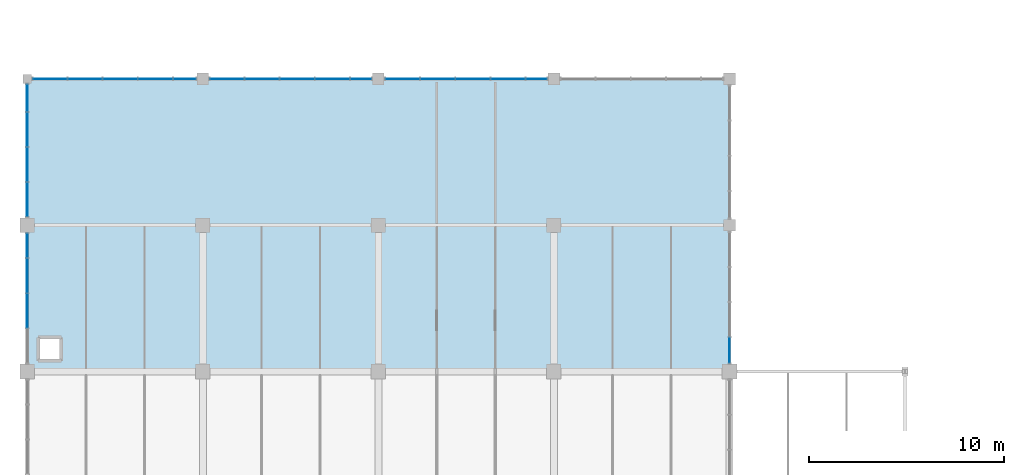
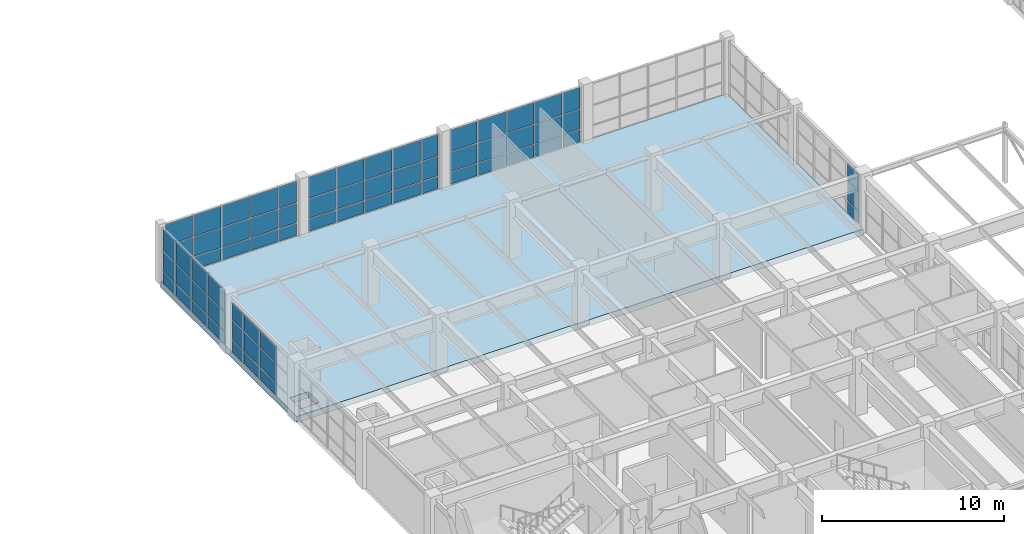
# One storey, part 45 of 76: 69 plates, 1 slab, 6 elements without a shape of their own.
"""IFC4 building model written with IfcOpenShell, lengths in metres."""

import ifcopenshell
import ifcopenshell.guid

model = None  # the IFC model being written
_history = None  # IfcOwnerHistory: only IFC2X3 demands one
_inside = {}  # id of a spatial element -> (the spatial element, [elements in it])
_under = {}  # id of a project, library or spatial element -> (it, [spatial elements below it])
_declared = {}  # id of a project -> (the project, [libraries it declares])
_typed = {}  # id of a type object -> (the type object, [elements of that type])
_made_of = {}  # id of a material, layer set ... -> (it, [elements and type objects made of it])


def new_model(schema):
    """Start an empty IFC model of exactly this schema.

    Asked for "IFC4X3", IfcOpenShell would pick the latest addendum, in which some entities
    have other attributes; the version numbers below select the first issue.
    IFC2X3 requires an IfcOwnerHistory on every rooted entity: one is made here for all.
    """
    global model, _history
    if schema == "IFC4X3":
        model = ifcopenshell.file(schema_version=(4, 3, 0, 0))
    else:
        model = ifcopenshell.file(schema=schema)
    _inside.clear()
    _under.clear()
    _declared.clear()
    _typed.clear()
    _made_of.clear()
    _history = None
    if model.schema == "IFC2X3":
        org = make("IfcOrganization", Name="unknown")
        user = make(
            "IfcPersonAndOrganization",
            ThePerson=make("IfcPerson", FamilyName="unknown"),
            TheOrganization=org,
        )
        app = make(
            "IfcApplication",
            ApplicationDeveloper=org,
            Version="unknown",
            ApplicationFullName="unknown",
            ApplicationIdentifier="unknown",
        )
        _history = make(
            "IfcOwnerHistory",
            OwningUser=user,
            OwningApplication=app,
            ChangeAction="ADDED",
            CreationDate=0,
        )
    return model


def make(cls, **values):
    """One entity of the class cls with the attributes given. An attribute that is None is left unset."""
    return model.create_entity(
        cls, **{name: value for name, value in values.items() if value is not None}
    )


def rooted(cls, **values):
    """An entity with a GlobalId (a new one), such as an element, a storey or a relation."""
    return make(cls, GlobalId=ifcopenshell.guid.new(), OwnerHistory=_history, **values)


def si_unit(unit_type, name, prefix=None):
    """IfcSIUnit, for example si_unit("LENGTHUNIT", "METRE", prefix="MILLI")."""
    return make("IfcSIUnit", UnitType=unit_type, Prefix=prefix, Name=name)


def assignment(units):
    """IfcUnitAssignment: the units of a project."""
    return None if units is None else make("IfcUnitAssignment", Units=units)


def point(xyz):
    """IfcCartesianPoint."""
    return None if xyz is None else make("IfcCartesianPoint", Coordinates=xyz)


def direction(xyz):
    """IfcDirection."""
    return None if xyz is None else make("IfcDirection", DirectionRatios=xyz)


def frame(location, z_axis=None, x_axis=None):
    """IfcAxis2Placement3D, a coordinate frame: its origin and axes. An axis left out is left unset."""
    return make(
        "IfcAxis2Placement3D",
        Location=point(location),
        Axis=direction(z_axis),
        RefDirection=direction(x_axis),
    )


def frame_2d(location, x_axis=None):
    """IfcAxis2Placement2D, a coordinate frame in the plane: its origin and x axis."""
    return make(
        "IfcAxis2Placement2D", Location=point(location), RefDirection=direction(x_axis)
    )


def origin():
    """The frame at (0, 0, 0) with its axes left unset."""
    return frame((0.0, 0.0, 0.0))


def origin_2d():
    """The frame at (0, 0) in the plane with its x axis left unset."""
    return frame_2d((0.0, 0.0))


def place(relative_to, where):
    """IfcLocalPlacement: puts the frame where relative to a parent placement (None: the world)."""
    return make(
        "IfcLocalPlacement", PlacementRelTo=relative_to, RelativePlacement=where
    )


def context(
    kind, dimensions, precision=None, world=None, true_north=None, identifier=None
):
    """IfcGeometricRepresentationContext, for example the 3D "Model" context."""
    return make(
        "IfcGeometricRepresentationContext",
        ContextIdentifier=identifier,
        ContextType=kind,
        CoordinateSpaceDimension=dimensions,
        Precision=precision,
        WorldCoordinateSystem=world,
        TrueNorth=true_north,
    )


def subcontext(parent, identifier, kind, view, scale=None):
    """IfcGeometricRepresentationSubContext, for example "Body" below "Model"."""
    return make(
        "IfcGeometricRepresentationSubContext",
        ContextIdentifier=identifier,
        ContextType=kind,
        ParentContext=parent,
        TargetScale=scale,
        TargetView=view,
    )


def project(units=None, contexts=None):
    """IfcProject with its units and contexts."""
    return rooted(
        "IfcProject",
        Name="project",
        RepresentationContexts=contexts,
        UnitsInContext=assignment(units),
    )


def spatial(cls, under=None, at=None, **own):
    """A site, building, storey or space (cls), placed at a placement, below another one or the project."""
    s = rooted(cls, ObjectPlacement=at, **own)
    if under is not None:
        _under.setdefault(under.id(), (under, []))[1].append(s)
    return s


def polyline(points):
    """IfcPolyline through the points."""
    return make("IfcPolyline", Points=[point(p) for p in points])


def profile(cls, at=None, kind="AREA", **sizes):
    """A parametric profile (cls). Its sizes go by their IFC names, for example OverallWidth=200.0."""
    return make(cls, ProfileType=kind, Position=at, **sizes)


def rectangle(**sizes):
    """IfcRectangleProfileDef."""
    return profile("IfcRectangleProfileDef", **sizes)


def outline(outer, holes=None, kind="AREA"):
    """IfcArbitraryClosedProfileDef: a profile drawn as a closed curve; with holes, ...WithVoids."""
    if holes is None:
        return make("IfcArbitraryClosedProfileDef", ProfileType=kind, OuterCurve=outer)
    return make(
        "IfcArbitraryProfileDefWithVoids",
        ProfileType=kind,
        OuterCurve=outer,
        InnerCurves=holes,
    )


def extrude(swept, where, along, depth):
    """IfcExtrudedAreaSolid: the profile swept, set in the frame where, extruded along a direction by depth."""
    return make(
        "IfcExtrudedAreaSolid",
        SweptArea=swept,
        Position=where,
        ExtrudedDirection=direction(along),
        Depth=depth,
    )


def shape(context_of_items, identifier, shape_type, items):
    """IfcShapeRepresentation: the items that make up one representation, for example the "Body"."""
    return make(
        "IfcShapeRepresentation",
        ContextOfItems=context_of_items,
        RepresentationIdentifier=identifier,
        RepresentationType=shape_type,
        Items=items,
    )


def material(Name=None, Category=None):
    """IfcMaterial."""
    return make("IfcMaterial", Name=Name, Category=Category)


def layer(
    of_material, thickness, ventilated=None, Name=None, Category=None, Priority=None
):
    """IfcMaterialLayer: one layer of a wall or slab, of a material (None: an air gap)."""
    return make(
        "IfcMaterialLayer",
        Material=of_material,
        LayerThickness=thickness,
        IsVentilated=ventilated,
        Name=Name,
        Category=Category,
        Priority=Priority,
    )


def layer_set(layers, Name=None):
    """IfcMaterialLayerSet."""
    return make("IfcMaterialLayerSet", MaterialLayers=layers, LayerSetName=Name)


def made_of(thing, what):
    """Note that an element or type object is made of a material, layer set ...; save() writes the relation."""
    if what is not None:
        _made_of.setdefault(what.id(), (what, []))[1].append(thing)
    return thing


def type_object(cls, material=None, **own):
    """A type object (cls), such as IfcWallType, which elements share."""
    return made_of(rooted(cls, **own), material)


def element(
    cls,
    number,
    at=None,
    inside=None,
    cuts=None,
    type_object=None,
    material=None,
    context=None,
    identifier="Body",
    shape_type=None,
    held_by="IfcProductDefinitionShape",
    body=None,
    shapes=None,
    **own,
):
    """One element of the class cls, such as IfcWall. Its Tag is "e" and its number.

    at: its placement. inside: the storey or other place that contains it. cuts: it is an
    opening in that element (IfcRelVoidsElement). A single representation is given by context,
    identifier, shape_type and body (its items); several are given by shapes. held_by: the class
    of the entity that holds the representations. save() writes the other relations.
    """
    e = rooted(cls, Tag="e%d" % number, ObjectPlacement=at, **own)
    if body is not None:
        shapes = [shape(context, identifier, shape_type, body)]
    if shapes is not None:
        e.Representation = make(held_by, Representations=shapes)
    if inside is not None:
        _inside.setdefault(inside.id(), (inside, []))[1].append(e)
    if cuts is not None:
        rooted(
            "IfcRelVoidsElement", RelatingBuildingElement=cuts, RelatedOpeningElement=e
        )
    if type_object is not None:
        _typed.setdefault(type_object.id(), (type_object, []))[1].append(e)
    return made_of(e, material)


def aggregate(whole, parts):
    """IfcRelAggregates: a whole, such as a stair, and the parts it consists of."""
    return rooted("IfcRelAggregates", RelatingObject=whole, RelatedObjects=parts)


def save(model, path):
    """Write the relations noted so far, then the file.

    IfcRelAggregates (storeys below a building ...), IfcRelContainedInSpatialStructure (elements
    in a storey), IfcRelDefinesByType, IfcRelAssociatesMaterial and IfcRelDeclares: one each for
    every whole, place, type object, material and project.
    """
    for whole, parts in _under.values():
        aggregate(whole, parts)
    for where, things in _inside.values():
        rooted(
            "IfcRelContainedInSpatialStructure",
            RelatedElements=things,
            RelatingStructure=where,
        )
    for kind, things in _typed.values():
        rooted("IfcRelDefinesByType", RelatedObjects=things, RelatingType=kind)
    for what, things in _made_of.values():
        rooted("IfcRelAssociatesMaterial", RelatedObjects=things, RelatingMaterial=what)
    for by, libraries in _declared.values():
        rooted("IfcRelDeclares", RelatingContext=by, RelatedDefinitions=libraries)
    model.write(path)


model = new_model("IFC4")

# Units and contexts
model_context = context("Model", 3, precision=1e-05, world=origin(), true_north=direction((0.0, 1.0)))
body_context = subcontext(model_context, "Body", "Model", "MODEL_VIEW")
ifc_project = project(units=[si_unit("LENGTHUNIT", "METRE"), si_unit("AREAUNIT", "SQUARE_METRE"), si_unit("VOLUMEUNIT", "CUBIC_METRE"), si_unit("PLANEANGLEUNIT", "RADIAN"), si_unit("MASSUNIT", "GRAM", prefix="KILO")], contexts=[model_context])

# Site, building, storey
site_placement = place(None, origin())
site = spatial("IfcSite", under=ifc_project, at=site_placement, CompositionType="ELEMENT")
building_placement = place(site_placement, origin())
building = spatial("IfcBuilding", under=site, at=building_placement, Name="Marnridge Secondary College", CompositionType="ELEMENT")
storey_placement = place(building_placement, frame((0.0, 0.0, 4.5)))
storey = spatial("IfcBuildingStorey", under=building, at=storey_placement, Name="L01", CompositionType="ELEMENT", Elevation=4.5)

# Curtain wall, plates
ifc_material_1 = material(Name="Bronze-anodised aluminium and solar-control glazing", Category="aluminium")
ifc_layer_1 = layer(ifc_material_1, 0.199951171875)
ifc_layer_set_1 = layer_set([ifc_layer_1], Name="CW-MOD-1800")
curtain_wall_type = type_object("IfcCurtainWallType", Name="CW-MOD-1800", PredefinedType="NOTDEFINED", material=ifc_layer_set_1)
curtain_wall_1_placement = place(storey_placement, origin())
curtain_wall_1 = element("IfcCurtainWall", 1, at=curtain_wall_1_placement, inside=storey, type_object=curtain_wall_type, Name="Unitised curtain wall CW-L01-059", PredefinedType="NOTDEFINED")
ifc_material_2 = material(Name="Acoustic laminated solar-control double glazing", Category="glass")
ifc_layer_2 = layer(ifc_material_2, 0.035888671875)
ifc_layer_set_2 = layer_set([ifc_layer_2], Name="CWP-GLZ36")
plate_type = type_object("IfcPlateType", Name="CWP-GLZ36", PredefinedType="CURTAIN_PANEL", material=ifc_layer_set_2)
plate_1_placement = place(storey_placement, frame((1.1640625, 45.0, 0.06494140625), z_axis=(0.0, 0.0, 1.0), x_axis=(1.0, 0.0, 0.0)))
plate_1 = element("IfcPlate", 2, at=plate_1_placement, type_object=plate_type, Name="CW-L01-059 panel 1.1", PredefinedType="CURTAIN_PANEL", context=body_context, shape_type="SweptSolid", body=[
    extrude(rectangle(XDim=1.72998046875, YDim=0.035888671875, at=origin_2d()), origin(), (0.0, 0.0, 1.0), 0.802490234375),
])
plate_2_placement = place(storey_placement, frame((1.1640625, 45.0, 0.9326171875), z_axis=(0.0, 0.0, 1.0), x_axis=(1.0, 0.0, 0.0)))
plate_2 = element("IfcPlate", 3, at=plate_2_placement, type_object=plate_type, Name="CW-L01-059 panel 1.2", PredefinedType="CURTAIN_PANEL", context=body_context, shape_type="SweptSolid", body=[
    extrude(rectangle(XDim=1.72998046875, YDim=0.035888671875, at=origin_2d()), origin(), (0.0, 0.0, 1.0), 1.284912109375),
])
plate_3_placement = place(storey_placement, frame((1.1640625, 45.0, 2.2822265625), z_axis=(0.0, 0.0, 1.0), x_axis=(1.0, 0.0, 0.0)))
plate_3 = element("IfcPlate", 4, at=plate_3_placement, type_object=plate_type, Name="CW-L01-059 panel 1.3", PredefinedType="CURTAIN_PANEL", context=body_context, shape_type="SweptSolid", body=[
    extrude(rectangle(XDim=1.72998046875, YDim=0.035888671875, at=origin_2d()), origin(), (0.0, 0.0, 1.0), 1.422607421875),
])
plate_4_placement = place(storey_placement, frame((2.964111328125, 45.0, 0.06494140625), z_axis=(0.0, 0.0, 1.0), x_axis=(1.0, 0.0, 0.0)))
plate_4 = element("IfcPlate", 5, at=plate_4_placement, type_object=plate_type, Name="CW-L01-059 panel 2.1", PredefinedType="CURTAIN_PANEL", context=body_context, shape_type="SweptSolid", body=[
    extrude(rectangle(XDim=1.72998046875, YDim=0.035888671875, at=origin_2d()), origin(), (0.0, 0.0, 1.0), 0.802490234375),
])
plate_5_placement = place(storey_placement, frame((2.964111328125, 45.0, 0.9326171875), z_axis=(0.0, 0.0, 1.0), x_axis=(1.0, 0.0, 0.0)))
plate_5 = element("IfcPlate", 6, at=plate_5_placement, type_object=plate_type, Name="CW-L01-059 panel 2.2", PredefinedType="CURTAIN_PANEL", context=body_context, shape_type="SweptSolid", body=[
    extrude(rectangle(XDim=1.72998046875, YDim=0.035888671875, at=origin_2d()), origin(), (0.0, 0.0, 1.0), 1.284912109375),
])
plate_6_placement = place(storey_placement, frame((2.964111328125, 45.0, 2.2822265625), z_axis=(0.0, 0.0, 1.0), x_axis=(1.0, 0.0, 0.0)))
plate_6 = element("IfcPlate", 7, at=plate_6_placement, type_object=plate_type, Name="CW-L01-059 panel 2.3", PredefinedType="CURTAIN_PANEL", context=body_context, shape_type="SweptSolid", body=[
    extrude(rectangle(XDim=1.72998046875, YDim=0.035888671875, at=origin_2d()), origin(), (0.0, 0.0, 1.0), 1.422607421875),
])
plate_7_placement = place(storey_placement, frame((4.763916015625, 45.0, 0.06494140625), z_axis=(0.0, 0.0, 1.0), x_axis=(1.0, 0.0, 0.0)))
plate_7 = element("IfcPlate", 8, at=plate_7_placement, type_object=plate_type, Name="CW-L01-059 panel 3.1", PredefinedType="CURTAIN_PANEL", context=body_context, shape_type="SweptSolid", body=[
    extrude(rectangle(XDim=1.72998046875, YDim=0.035888671875, at=origin_2d()), origin(), (0.0, 0.0, 1.0), 0.802490234375),
])
plate_8_placement = place(storey_placement, frame((4.763916015625, 45.0, 0.9326171875), z_axis=(0.0, 0.0, 1.0), x_axis=(1.0, 0.0, 0.0)))
plate_8 = element("IfcPlate", 9, at=plate_8_placement, type_object=plate_type, Name="CW-L01-059 panel 3.2", PredefinedType="CURTAIN_PANEL", context=body_context, shape_type="SweptSolid", body=[
    extrude(rectangle(XDim=1.72998046875, YDim=0.035888671875, at=origin_2d()), origin(), (0.0, 0.0, 1.0), 1.284912109375),
])
plate_9_placement = place(storey_placement, frame((4.763916015625, 45.0, 2.2822265625), z_axis=(0.0, 0.0, 1.0), x_axis=(1.0, 0.0, 0.0)))
plate_9 = element("IfcPlate", 10, at=plate_9_placement, type_object=plate_type, Name="CW-L01-059 panel 3.3", PredefinedType="CURTAIN_PANEL", context=body_context, shape_type="SweptSolid", body=[
    extrude(rectangle(XDim=1.72998046875, YDim=0.035888671875, at=origin_2d()), origin(), (0.0, 0.0, 1.0), 1.422607421875),
])
plate_10_placement = place(storey_placement, frame((6.56396484375, 45.0, 0.06494140625), z_axis=(0.0, 0.0, 1.0), x_axis=(1.0, 0.0, 0.0)))
plate_10 = element("IfcPlate", 11, at=plate_10_placement, type_object=plate_type, Name="CW-L01-059 panel 4.1", PredefinedType="CURTAIN_PANEL", context=body_context, shape_type="SweptSolid", body=[
    extrude(rectangle(XDim=1.72998046875, YDim=0.035888671875, at=origin_2d()), origin(), (0.0, 0.0, 1.0), 0.802490234375),
])
plate_11_placement = place(storey_placement, frame((6.56396484375, 45.0, 0.9326171875), z_axis=(0.0, 0.0, 1.0), x_axis=(1.0, 0.0, 0.0)))
plate_11 = element("IfcPlate", 12, at=plate_11_placement, type_object=plate_type, Name="CW-L01-059 panel 4.2", PredefinedType="CURTAIN_PANEL", context=body_context, shape_type="SweptSolid", body=[
    extrude(rectangle(XDim=1.72998046875, YDim=0.035888671875, at=origin_2d()), origin(), (0.0, 0.0, 1.0), 1.284912109375),
])
plate_12_placement = place(storey_placement, frame((6.56396484375, 45.0, 2.2822265625), z_axis=(0.0, 0.0, 1.0), x_axis=(1.0, 0.0, 0.0)))
plate_12 = element("IfcPlate", 13, at=plate_12_placement, type_object=plate_type, Name="CW-L01-059 panel 4.3", PredefinedType="CURTAIN_PANEL", context=body_context, shape_type="SweptSolid", body=[
    extrude(rectangle(XDim=1.72998046875, YDim=0.035888671875, at=origin_2d()), origin(), (0.0, 0.0, 1.0), 1.422607421875),
])
plate_13_placement = place(storey_placement, frame((8.0625, 45.0, 0.06494140625), z_axis=(0.0, 0.0, 1.0), x_axis=(1.0, 0.0, 0.0)))
plate_13 = element("IfcPlate", 14, at=plate_13_placement, type_object=plate_type, Name="CW-L01-059 panel 5.1", PredefinedType="CURTAIN_PANEL", context=body_context, shape_type="SweptSolid", body=[
    extrude(rectangle(XDim=1.126953125, YDim=0.035888671875, at=origin_2d()), origin(), (0.0, 0.0, 1.0), 0.802490234375),
])
plate_14_placement = place(storey_placement, frame((8.0625, 45.0, 0.9326171875), z_axis=(0.0, 0.0, 1.0), x_axis=(1.0, 0.0, 0.0)))
plate_14 = element("IfcPlate", 15, at=plate_14_placement, type_object=plate_type, Name="CW-L01-059 panel 5.2", PredefinedType="CURTAIN_PANEL", context=body_context, shape_type="SweptSolid", body=[
    extrude(rectangle(XDim=1.126953125, YDim=0.035888671875, at=origin_2d()), origin(), (0.0, 0.0, 1.0), 1.284912109375),
])
plate_15_placement = place(storey_placement, frame((8.0625, 45.0, 2.2822265625), z_axis=(0.0, 0.0, 1.0), x_axis=(1.0, 0.0, 0.0)))
plate_15 = element("IfcPlate", 16, at=plate_15_placement, type_object=plate_type, Name="CW-L01-059 panel 5.3", PredefinedType="CURTAIN_PANEL", context=body_context, shape_type="SweptSolid", body=[
    extrude(rectangle(XDim=1.126953125, YDim=0.035888671875, at=origin_2d()), origin(), (0.0, 0.0, 1.0), 1.422607421875),
])
aggregate(curtain_wall_1, [plate_1, plate_2, plate_3, plate_4, plate_5, plate_6, plate_7, plate_8, plate_9, plate_10, plate_11, plate_12, plate_13, plate_14, plate_15])

curtain_wall_2_placement = place(storey_placement, origin())
curtain_wall_2 = element("IfcCurtainWall", 17, at=curtain_wall_2_placement, inside=storey, type_object=curtain_wall_type, Name="Unitised curtain wall CW-L01-060", PredefinedType="NOTDEFINED")
plate_16_placement = place(storey_placement, frame((10.239013671875, 45.0, 0.06494140625), z_axis=(0.0, 0.0, 1.0), x_axis=(1.0, 0.0, 0.0)))
plate_16 = element("IfcPlate", 18, at=plate_16_placement, type_object=plate_type, Name="CW-L01-060 panel 1.1", PredefinedType="CURTAIN_PANEL", context=body_context, shape_type="SweptSolid", body=[
    extrude(rectangle(XDim=1.72998046875, YDim=0.035888671875, at=origin_2d()), origin(), (0.0, 0.0, 1.0), 0.802490234375),
])
plate_17_placement = place(storey_placement, frame((10.239013671875, 45.0, 0.9326171875), z_axis=(0.0, 0.0, 1.0), x_axis=(1.0, 0.0, 0.0)))
plate_17 = element("IfcPlate", 19, at=plate_17_placement, type_object=plate_type, Name="CW-L01-060 panel 1.2", PredefinedType="CURTAIN_PANEL", context=body_context, shape_type="SweptSolid", body=[
    extrude(rectangle(XDim=1.72998046875, YDim=0.035888671875, at=origin_2d()), origin(), (0.0, 0.0, 1.0), 1.284912109375),
])
plate_18_placement = place(storey_placement, frame((10.239013671875, 45.0, 2.2822265625), z_axis=(0.0, 0.0, 1.0), x_axis=(1.0, 0.0, 0.0)))
plate_18 = element("IfcPlate", 20, at=plate_18_placement, type_object=plate_type, Name="CW-L01-060 panel 1.3", PredefinedType="CURTAIN_PANEL", context=body_context, shape_type="SweptSolid", body=[
    extrude(rectangle(XDim=1.72998046875, YDim=0.035888671875, at=origin_2d()), origin(), (0.0, 0.0, 1.0), 1.422607421875),
])
plate_19_placement = place(storey_placement, frame((12.0390625, 45.0, 0.06494140625), z_axis=(0.0, 0.0, 1.0), x_axis=(1.0, 0.0, 0.0)))
plate_19 = element("IfcPlate", 21, at=plate_19_placement, type_object=plate_type, Name="CW-L01-060 panel 2.1", PredefinedType="CURTAIN_PANEL", context=body_context, shape_type="SweptSolid", body=[
    extrude(rectangle(XDim=1.72998046875, YDim=0.035888671875, at=origin_2d()), origin(), (0.0, 0.0, 1.0), 0.802490234375),
])
plate_20_placement = place(storey_placement, frame((12.0390625, 45.0, 0.9326171875), z_axis=(0.0, 0.0, 1.0), x_axis=(1.0, 0.0, 0.0)))
plate_20 = element("IfcPlate", 22, at=plate_20_placement, type_object=plate_type, Name="CW-L01-060 panel 2.2", PredefinedType="CURTAIN_PANEL", context=body_context, shape_type="SweptSolid", body=[
    extrude(rectangle(XDim=1.72998046875, YDim=0.035888671875, at=origin_2d()), origin(), (0.0, 0.0, 1.0), 1.284912109375),
])
plate_21_placement = place(storey_placement, frame((12.0390625, 45.0, 2.2822265625), z_axis=(0.0, 0.0, 1.0), x_axis=(1.0, 0.0, 0.0)))
plate_21 = element("IfcPlate", 23, at=plate_21_placement, type_object=plate_type, Name="CW-L01-060 panel 2.3", PredefinedType="CURTAIN_PANEL", context=body_context, shape_type="SweptSolid", body=[
    extrude(rectangle(XDim=1.72998046875, YDim=0.035888671875, at=origin_2d()), origin(), (0.0, 0.0, 1.0), 1.422607421875),
])
plate_22_placement = place(storey_placement, frame((13.839111328125, 45.0, 0.06494140625), z_axis=(0.0, 0.0, 1.0), x_axis=(1.0, 0.0, 0.0)))
plate_22 = element("IfcPlate", 24, at=plate_22_placement, type_object=plate_type, Name="CW-L01-060 panel 3.1", PredefinedType="CURTAIN_PANEL", context=body_context, shape_type="SweptSolid", body=[
    extrude(rectangle(XDim=1.72998046875, YDim=0.035888671875, at=origin_2d()), origin(), (0.0, 0.0, 1.0), 0.802490234375),
])
plate_23_placement = place(storey_placement, frame((13.839111328125, 45.0, 0.9326171875), z_axis=(0.0, 0.0, 1.0), x_axis=(1.0, 0.0, 0.0)))
plate_23 = element("IfcPlate", 25, at=plate_23_placement, type_object=plate_type, Name="CW-L01-060 panel 3.2", PredefinedType="CURTAIN_PANEL", context=body_context, shape_type="SweptSolid", body=[
    extrude(rectangle(XDim=1.72998046875, YDim=0.035888671875, at=origin_2d()), origin(), (0.0, 0.0, 1.0), 1.284912109375),
])
plate_24_placement = place(storey_placement, frame((13.839111328125, 45.0, 2.2822265625), z_axis=(0.0, 0.0, 1.0), x_axis=(1.0, 0.0, 0.0)))
plate_24 = element("IfcPlate", 26, at=plate_24_placement, type_object=plate_type, Name="CW-L01-060 panel 3.3", PredefinedType="CURTAIN_PANEL", context=body_context, shape_type="SweptSolid", body=[
    extrude(rectangle(XDim=1.72998046875, YDim=0.035888671875, at=origin_2d()), origin(), (0.0, 0.0, 1.0), 1.422607421875),
])
plate_25_placement = place(storey_placement, frame((15.638916015625, 45.0, 0.06494140625), z_axis=(0.0, 0.0, 1.0), x_axis=(1.0, 0.0, 0.0)))
plate_25 = element("IfcPlate", 27, at=plate_25_placement, type_object=plate_type, Name="CW-L01-060 panel 4.1", PredefinedType="CURTAIN_PANEL", context=body_context, shape_type="SweptSolid", body=[
    extrude(rectangle(XDim=1.72998046875, YDim=0.035888671875, at=origin_2d()), origin(), (0.0, 0.0, 1.0), 0.802490234375),
])
plate_26_placement = place(storey_placement, frame((15.638916015625, 45.0, 0.9326171875), z_axis=(0.0, 0.0, 1.0), x_axis=(1.0, 0.0, 0.0)))
plate_26 = element("IfcPlate", 28, at=plate_26_placement, type_object=plate_type, Name="CW-L01-060 panel 4.2", PredefinedType="CURTAIN_PANEL", context=body_context, shape_type="SweptSolid", body=[
    extrude(rectangle(XDim=1.72998046875, YDim=0.035888671875, at=origin_2d()), origin(), (0.0, 0.0, 1.0), 1.284912109375),
])
plate_27_placement = place(storey_placement, frame((15.638916015625, 45.0, 2.2822265625), z_axis=(0.0, 0.0, 1.0), x_axis=(1.0, 0.0, 0.0)))
plate_27 = element("IfcPlate", 29, at=plate_27_placement, type_object=plate_type, Name="CW-L01-060 panel 4.3", PredefinedType="CURTAIN_PANEL", context=body_context, shape_type="SweptSolid", body=[
    extrude(rectangle(XDim=1.72998046875, YDim=0.035888671875, at=origin_2d()), origin(), (0.0, 0.0, 1.0), 1.422607421875),
])
plate_28_placement = place(storey_placement, frame((17.10009765625, 45.0, 0.06494140625), z_axis=(0.0, 0.0, 1.0), x_axis=(1.0, 0.0, 0.0)))
plate_28 = element("IfcPlate", 30, at=plate_28_placement, type_object=plate_type, Name="CW-L01-060 panel 5.1", PredefinedType="CURTAIN_PANEL", context=body_context, shape_type="SweptSolid", body=[
    extrude(rectangle(XDim=1.052001953125, YDim=0.035888671875, at=origin_2d()), origin(), (0.0, 0.0, 1.0), 0.802490234375),
])
plate_29_placement = place(storey_placement, frame((17.10009765625, 45.0, 0.9326171875), z_axis=(0.0, 0.0, 1.0), x_axis=(1.0, 0.0, 0.0)))
plate_29 = element("IfcPlate", 31, at=plate_29_placement, type_object=plate_type, Name="CW-L01-060 panel 5.2", PredefinedType="CURTAIN_PANEL", context=body_context, shape_type="SweptSolid", body=[
    extrude(rectangle(XDim=1.052001953125, YDim=0.035888671875, at=origin_2d()), origin(), (0.0, 0.0, 1.0), 1.284912109375),
])
plate_30_placement = place(storey_placement, frame((17.10009765625, 45.0, 2.2822265625), z_axis=(0.0, 0.0, 1.0), x_axis=(1.0, 0.0, 0.0)))
plate_30 = element("IfcPlate", 32, at=plate_30_placement, type_object=plate_type, Name="CW-L01-060 panel 5.3", PredefinedType="CURTAIN_PANEL", context=body_context, shape_type="SweptSolid", body=[
    extrude(rectangle(XDim=1.052001953125, YDim=0.035888671875, at=origin_2d()), origin(), (0.0, 0.0, 1.0), 1.422607421875),
])
aggregate(curtain_wall_2, [plate_16, plate_17, plate_18, plate_19, plate_20, plate_21, plate_22, plate_23, plate_24, plate_25, plate_26, plate_27, plate_28, plate_29, plate_30])

curtain_wall_3_placement = place(storey_placement, origin())
curtain_wall_3 = element("IfcCurtainWall", 33, at=curtain_wall_3_placement, inside=storey, type_object=curtain_wall_type, Name="Unitised curtain wall CW-L01-061", PredefinedType="NOTDEFINED")
plate_31_placement = place(storey_placement, frame((19.239013671875, 45.0, 0.06494140625), z_axis=(0.0, 0.0, 1.0), x_axis=(1.0, 0.0, 0.0)))
plate_31 = element("IfcPlate", 34, at=plate_31_placement, type_object=plate_type, Name="CW-L01-061 panel 1.1", PredefinedType="CURTAIN_PANEL", context=body_context, shape_type="SweptSolid", body=[
    extrude(rectangle(XDim=1.72998046875, YDim=0.035888671875, at=origin_2d()), origin(), (0.0, 0.0, 1.0), 0.802490234375),
])
plate_32_placement = place(storey_placement, frame((19.239013671875, 45.0, 0.9326171875), z_axis=(0.0, 0.0, 1.0), x_axis=(1.0, 0.0, 0.0)))
plate_32 = element("IfcPlate", 35, at=plate_32_placement, type_object=plate_type, Name="CW-L01-061 panel 1.2", PredefinedType="CURTAIN_PANEL", context=body_context, shape_type="SweptSolid", body=[
    extrude(rectangle(XDim=1.72998046875, YDim=0.035888671875, at=origin_2d()), origin(), (0.0, 0.0, 1.0), 1.284912109375),
])
plate_33_placement = place(storey_placement, frame((19.239013671875, 45.0, 2.2822265625), z_axis=(0.0, 0.0, 1.0), x_axis=(1.0, 0.0, 0.0)))
plate_33 = element("IfcPlate", 36, at=plate_33_placement, type_object=plate_type, Name="CW-L01-061 panel 1.3", PredefinedType="CURTAIN_PANEL", context=body_context, shape_type="SweptSolid", body=[
    extrude(rectangle(XDim=1.72998046875, YDim=0.035888671875, at=origin_2d()), origin(), (0.0, 0.0, 1.0), 1.422607421875),
])
plate_34_placement = place(storey_placement, frame((21.0390625, 45.0, 0.06494140625), z_axis=(0.0, 0.0, 1.0), x_axis=(1.0, 0.0, 0.0)))
plate_34 = element("IfcPlate", 37, at=plate_34_placement, type_object=plate_type, Name="CW-L01-061 panel 2.1", PredefinedType="CURTAIN_PANEL", context=body_context, shape_type="SweptSolid", body=[
    extrude(rectangle(XDim=1.72998046875, YDim=0.035888671875, at=origin_2d()), origin(), (0.0, 0.0, 1.0), 0.802490234375),
])
plate_35_placement = place(storey_placement, frame((21.0390625, 45.0, 0.9326171875), z_axis=(0.0, 0.0, 1.0), x_axis=(1.0, 0.0, 0.0)))
plate_35 = element("IfcPlate", 38, at=plate_35_placement, type_object=plate_type, Name="CW-L01-061 panel 2.2", PredefinedType="CURTAIN_PANEL", context=body_context, shape_type="SweptSolid", body=[
    extrude(rectangle(XDim=1.72998046875, YDim=0.035888671875, at=origin_2d()), origin(), (0.0, 0.0, 1.0), 1.284912109375),
])
plate_36_placement = place(storey_placement, frame((21.0390625, 45.0, 2.2822265625), z_axis=(0.0, 0.0, 1.0), x_axis=(1.0, 0.0, 0.0)))
plate_36 = element("IfcPlate", 39, at=plate_36_placement, type_object=plate_type, Name="CW-L01-061 panel 2.3", PredefinedType="CURTAIN_PANEL", context=body_context, shape_type="SweptSolid", body=[
    extrude(rectangle(XDim=1.72998046875, YDim=0.035888671875, at=origin_2d()), origin(), (0.0, 0.0, 1.0), 1.422607421875),
])
plate_37_placement = place(storey_placement, frame((22.839111328125, 45.0, 0.06494140625), z_axis=(0.0, 0.0, 1.0), x_axis=(1.0, 0.0, 0.0)))
plate_37 = element("IfcPlate", 40, at=plate_37_placement, type_object=plate_type, Name="CW-L01-061 panel 3.1", PredefinedType="CURTAIN_PANEL", context=body_context, shape_type="SweptSolid", body=[
    extrude(rectangle(XDim=1.72998046875, YDim=0.035888671875, at=origin_2d()), origin(), (0.0, 0.0, 1.0), 0.802490234375),
])
plate_38_placement = place(storey_placement, frame((22.839111328125, 45.0, 0.9326171875), z_axis=(0.0, 0.0, 1.0), x_axis=(1.0, 0.0, 0.0)))
plate_38 = element("IfcPlate", 41, at=plate_38_placement, type_object=plate_type, Name="CW-L01-061 panel 3.2", PredefinedType="CURTAIN_PANEL", context=body_context, shape_type="SweptSolid", body=[
    extrude(rectangle(XDim=1.72998046875, YDim=0.035888671875, at=origin_2d()), origin(), (0.0, 0.0, 1.0), 1.284912109375),
])
plate_39_placement = place(storey_placement, frame((22.839111328125, 45.0, 2.2822265625), z_axis=(0.0, 0.0, 1.0), x_axis=(1.0, 0.0, 0.0)))
plate_39 = element("IfcPlate", 42, at=plate_39_placement, type_object=plate_type, Name="CW-L01-061 panel 3.3", PredefinedType="CURTAIN_PANEL", context=body_context, shape_type="SweptSolid", body=[
    extrude(rectangle(XDim=1.72998046875, YDim=0.035888671875, at=origin_2d()), origin(), (0.0, 0.0, 1.0), 1.422607421875),
])
plate_40_placement = place(storey_placement, frame((24.638916015625, 45.0, 0.06494140625), z_axis=(0.0, 0.0, 1.0), x_axis=(1.0, 0.0, 0.0)))
plate_40 = element("IfcPlate", 43, at=plate_40_placement, type_object=plate_type, Name="CW-L01-061 panel 4.1", PredefinedType="CURTAIN_PANEL", context=body_context, shape_type="SweptSolid", body=[
    extrude(rectangle(XDim=1.72998046875, YDim=0.035888671875, at=origin_2d()), origin(), (0.0, 0.0, 1.0), 0.802490234375),
])
plate_41_placement = place(storey_placement, frame((24.638916015625, 45.0, 0.9326171875), z_axis=(0.0, 0.0, 1.0), x_axis=(1.0, 0.0, 0.0)))
plate_41 = element("IfcPlate", 44, at=plate_41_placement, type_object=plate_type, Name="CW-L01-061 panel 4.2", PredefinedType="CURTAIN_PANEL", context=body_context, shape_type="SweptSolid", body=[
    extrude(rectangle(XDim=1.72998046875, YDim=0.035888671875, at=origin_2d()), origin(), (0.0, 0.0, 1.0), 1.284912109375),
])
plate_42_placement = place(storey_placement, frame((24.638916015625, 45.0, 2.2822265625), z_axis=(0.0, 0.0, 1.0), x_axis=(1.0, 0.0, 0.0)))
plate_42 = element("IfcPlate", 45, at=plate_42_placement, type_object=plate_type, Name="CW-L01-061 panel 4.3", PredefinedType="CURTAIN_PANEL", context=body_context, shape_type="SweptSolid", body=[
    extrude(rectangle(XDim=1.72998046875, YDim=0.035888671875, at=origin_2d()), origin(), (0.0, 0.0, 1.0), 1.422607421875),
])
plate_43_placement = place(storey_placement, frame((26.10009765625, 45.0, 0.06494140625), z_axis=(0.0, 0.0, 1.0), x_axis=(1.0, 0.0, 0.0)))
plate_43 = element("IfcPlate", 46, at=plate_43_placement, type_object=plate_type, Name="CW-L01-061 panel 5.1", PredefinedType="CURTAIN_PANEL", context=body_context, shape_type="SweptSolid", body=[
    extrude(rectangle(XDim=1.052001953125, YDim=0.035888671875, at=origin_2d()), origin(), (0.0, 0.0, 1.0), 0.802490234375),
])
plate_44_placement = place(storey_placement, frame((26.10009765625, 45.0, 0.9326171875), z_axis=(0.0, 0.0, 1.0), x_axis=(1.0, 0.0, 0.0)))
plate_44 = element("IfcPlate", 47, at=plate_44_placement, type_object=plate_type, Name="CW-L01-061 panel 5.2", PredefinedType="CURTAIN_PANEL", context=body_context, shape_type="SweptSolid", body=[
    extrude(rectangle(XDim=1.052001953125, YDim=0.035888671875, at=origin_2d()), origin(), (0.0, 0.0, 1.0), 1.284912109375),
])
plate_45_placement = place(storey_placement, frame((26.10009765625, 45.0, 2.2822265625), z_axis=(0.0, 0.0, 1.0), x_axis=(1.0, 0.0, 0.0)))
plate_45 = element("IfcPlate", 48, at=plate_45_placement, type_object=plate_type, Name="CW-L01-061 panel 5.3", PredefinedType="CURTAIN_PANEL", context=body_context, shape_type="SweptSolid", body=[
    extrude(rectangle(XDim=1.052001953125, YDim=0.035888671875, at=origin_2d()), origin(), (0.0, 0.0, 1.0), 1.422607421875),
])
aggregate(curtain_wall_3, [plate_31, plate_32, plate_33, plate_34, plate_35, plate_36, plate_37, plate_38, plate_39, plate_40, plate_41, plate_42, plate_43, plate_44, plate_45])

curtain_wall_4_placement = place(storey_placement, origin())
curtain_wall_4 = element("IfcCurtainWall", 49, at=curtain_wall_4_placement, inside=storey, type_object=curtain_wall_type, Name="Unitised curtain wall CW-L01-064", PredefinedType="NOTDEFINED")
plate_46_placement = place(storey_placement, frame((36.0, 31.08740234375, 0.06494140625), z_axis=(0.0, 0.0, 1.0), x_axis=(0.0, -1.0, 0.0)))
plate_46 = element("IfcPlate", 50, at=plate_46_placement, type_object=plate_type, Name="CW-L01-064 panel 4.1", PredefinedType="CURTAIN_PANEL", context=body_context, shape_type="SweptSolid", body=[
    extrude(rectangle(XDim=1.277099609375, YDim=0.035888671875, at=origin_2d()), origin(), (0.0, 0.0, 1.0), 0.802490234375),
])
plate_47_placement = place(storey_placement, frame((36.0, 31.08740234375, 0.9326171875), z_axis=(0.0, 0.0, 1.0), x_axis=(0.0, -1.0, 0.0)))
plate_47 = element("IfcPlate", 51, at=plate_47_placement, type_object=plate_type, Name="CW-L01-064 panel 4.2", PredefinedType="CURTAIN_PANEL", context=body_context, shape_type="SweptSolid", body=[
    extrude(rectangle(XDim=1.277099609375, YDim=0.035888671875, at=origin_2d()), origin(), (0.0, 0.0, 1.0), 1.284912109375),
])
plate_48_placement = place(storey_placement, frame((36.0, 31.08740234375, 2.282470703125), z_axis=(0.0, 0.0, 1.0), x_axis=(0.0, -1.0, 0.0)))
plate_48 = element("IfcPlate", 52, at=plate_48_placement, type_object=plate_type, Name="CW-L01-064 panel 4.3", PredefinedType="CURTAIN_PANEL", context=body_context, shape_type="SweptSolid", body=[
    extrude(rectangle(XDim=1.277099609375, YDim=0.035888671875, at=origin_2d()), origin(), (0.0, 0.0, 1.0), 1.0625),
])
aggregate(curtain_wall_4, [plate_46, plate_47, plate_48])

curtain_wall_5_placement = place(storey_placement, origin())
curtain_wall_5 = element("IfcCurtainWall", 53, at=curtain_wall_5_placement, inside=storey, type_object=curtain_wall_type, Name="Unitised curtain wall CW-L01-071", PredefinedType="NOTDEFINED")
plate_49_placement = place(storey_placement, frame((0.0, 33.114013671875, 0.06494140625), z_axis=(0.0, 0.0, 1.0), x_axis=(0.0, 1.0, 0.0)))
plate_49 = element("IfcPlate", 54, at=plate_49_placement, type_object=plate_type, Name="CW-L01-071 panel 2.1", PredefinedType="CURTAIN_PANEL", context=body_context, shape_type="SweptSolid", body=[
    extrude(rectangle(XDim=1.72998046875, YDim=0.035888671875, at=origin_2d()), origin(), (0.0, 0.0, 1.0), 0.802490234375),
])
plate_50_placement = place(storey_placement, frame((0.0, 33.114013671875, 0.9326171875), z_axis=(0.0, 0.0, 1.0), x_axis=(0.0, 1.0, 0.0)))
plate_50 = element("IfcPlate", 55, at=plate_50_placement, type_object=plate_type, Name="CW-L01-071 panel 2.2", PredefinedType="CURTAIN_PANEL", context=body_context, shape_type="SweptSolid", body=[
    extrude(rectangle(XDim=1.72998046875, YDim=0.035888671875, at=origin_2d()), origin(), (0.0, 0.0, 1.0), 1.284912109375),
])
plate_51_placement = place(storey_placement, frame((0.0, 33.114013671875, 2.282470703125), z_axis=(0.0, 0.0, 1.0), x_axis=(0.0, 1.0, 0.0)))
plate_51 = element("IfcPlate", 56, at=plate_51_placement, type_object=plate_type, Name="CW-L01-071 panel 2.3", PredefinedType="CURTAIN_PANEL", context=body_context, shape_type="SweptSolid", body=[
    extrude(rectangle(XDim=1.72998046875, YDim=0.035888671875, at=origin_2d()), origin(), (0.0, 0.0, 1.0), 1.0625),
])
plate_52_placement = place(storey_placement, frame((0.0, 34.9140625, 0.06494140625), z_axis=(0.0, 0.0, 1.0), x_axis=(0.0, 1.0, 0.0)))
plate_52 = element("IfcPlate", 57, at=plate_52_placement, type_object=plate_type, Name="CW-L01-071 panel 3.1", PredefinedType="CURTAIN_PANEL", context=body_context, shape_type="SweptSolid", body=[
    extrude(rectangle(XDim=1.72998046875, YDim=0.035888671875, at=origin_2d()), origin(), (0.0, 0.0, 1.0), 0.802490234375),
])
plate_53_placement = place(storey_placement, frame((0.0, 34.9140625, 0.9326171875), z_axis=(0.0, 0.0, 1.0), x_axis=(0.0, 1.0, 0.0)))
plate_53 = element("IfcPlate", 58, at=plate_53_placement, type_object=plate_type, Name="CW-L01-071 panel 3.2", PredefinedType="CURTAIN_PANEL", context=body_context, shape_type="SweptSolid", body=[
    extrude(rectangle(XDim=1.72998046875, YDim=0.035888671875, at=origin_2d()), origin(), (0.0, 0.0, 1.0), 1.284912109375),
])
plate_54_placement = place(storey_placement, frame((0.0, 34.9140625, 2.282470703125), z_axis=(0.0, 0.0, 1.0), x_axis=(0.0, 1.0, 0.0)))
plate_54 = element("IfcPlate", 59, at=plate_54_placement, type_object=plate_type, Name="CW-L01-071 panel 3.3", PredefinedType="CURTAIN_PANEL", context=body_context, shape_type="SweptSolid", body=[
    extrude(rectangle(XDim=1.72998046875, YDim=0.035888671875, at=origin_2d()), origin(), (0.0, 0.0, 1.0), 1.0625),
])
plate_55_placement = place(storey_placement, frame((0.0, 36.449951171875, 0.06494140625), z_axis=(0.0, 0.0, 1.0), x_axis=(0.0, 1.0, 0.0)))
plate_55 = element("IfcPlate", 60, at=plate_55_placement, type_object=plate_type, Name="CW-L01-071 panel 4.1", PredefinedType="CURTAIN_PANEL", context=body_context, shape_type="SweptSolid", body=[
    extrude(rectangle(XDim=1.201904296875, YDim=0.035888671875, at=origin_2d()), origin(), (0.0, 0.0, 1.0), 0.802490234375),
])
plate_56_placement = place(storey_placement, frame((0.0, 36.449951171875, 0.9326171875), z_axis=(0.0, 0.0, 1.0), x_axis=(0.0, 1.0, 0.0)))
plate_56 = element("IfcPlate", 61, at=plate_56_placement, type_object=plate_type, Name="CW-L01-071 panel 4.2", PredefinedType="CURTAIN_PANEL", context=body_context, shape_type="SweptSolid", body=[
    extrude(rectangle(XDim=1.201904296875, YDim=0.035888671875, at=origin_2d()), origin(), (0.0, 0.0, 1.0), 1.284912109375),
])
plate_57_placement = place(storey_placement, frame((0.0, 36.449951171875, 2.282470703125), z_axis=(0.0, 0.0, 1.0), x_axis=(0.0, 1.0, 0.0)))
plate_57 = element("IfcPlate", 62, at=plate_57_placement, type_object=plate_type, Name="CW-L01-071 panel 4.3", PredefinedType="CURTAIN_PANEL", context=body_context, shape_type="SweptSolid", body=[
    extrude(rectangle(XDim=1.201904296875, YDim=0.035888671875, at=origin_2d()), origin(), (0.0, 0.0, 1.0), 1.0625),
])
aggregate(curtain_wall_5, [plate_49, plate_50, plate_51, plate_52, plate_53, plate_54, plate_55, plate_56, plate_57])

curtain_wall_6_placement = place(storey_placement, origin())
curtain_wall_6 = element("IfcCurtainWall", 63, at=curtain_wall_6_placement, inside=storey, type_object=curtain_wall_type, Name="Unitised curtain wall CW-L01-072", PredefinedType="NOTDEFINED")
plate_58_placement = place(storey_placement, frame((0.0, 38.81396484375, 0.06494140625), z_axis=(0.0, 0.0, 1.0), x_axis=(0.0, 1.0, 0.0)))
plate_58 = element("IfcPlate", 64, at=plate_58_placement, type_object=plate_type, Name="CW-L01-072 panel 1.1", PredefinedType="CURTAIN_PANEL", context=body_context, shape_type="SweptSolid", body=[
    extrude(rectangle(XDim=1.72998046875, YDim=0.035888671875, at=origin_2d()), origin(), (0.0, 0.0, 1.0), 0.802490234375),
])
plate_59_placement = place(storey_placement, frame((0.0, 38.81396484375, 0.9326171875), z_axis=(0.0, 0.0, 1.0), x_axis=(0.0, 1.0, 0.0)))
plate_59 = element("IfcPlate", 65, at=plate_59_placement, type_object=plate_type, Name="CW-L01-072 panel 1.2", PredefinedType="CURTAIN_PANEL", context=body_context, shape_type="SweptSolid", body=[
    extrude(rectangle(XDim=1.72998046875, YDim=0.035888671875, at=origin_2d()), origin(), (0.0, 0.0, 1.0), 1.284912109375),
])
plate_60_placement = place(storey_placement, frame((0.0, 38.81396484375, 2.2822265625), z_axis=(0.0, 0.0, 1.0), x_axis=(0.0, 1.0, 0.0)))
plate_60 = element("IfcPlate", 66, at=plate_60_placement, type_object=plate_type, Name="CW-L01-072 panel 1.3", PredefinedType="CURTAIN_PANEL", context=body_context, shape_type="SweptSolid", body=[
    extrude(rectangle(XDim=1.72998046875, YDim=0.035888671875, at=origin_2d()), origin(), (0.0, 0.0, 1.0), 1.422607421875),
])
plate_61_placement = place(storey_placement, frame((0.0, 40.614013671875, 0.06494140625), z_axis=(0.0, 0.0, 1.0), x_axis=(0.0, 1.0, 0.0)))
plate_61 = element("IfcPlate", 67, at=plate_61_placement, type_object=plate_type, Name="CW-L01-072 panel 2.1", PredefinedType="CURTAIN_PANEL", context=body_context, shape_type="SweptSolid", body=[
    extrude(rectangle(XDim=1.72998046875, YDim=0.035888671875, at=origin_2d()), origin(), (0.0, 0.0, 1.0), 0.802490234375),
])
plate_62_placement = place(storey_placement, frame((0.0, 40.614013671875, 0.9326171875), z_axis=(0.0, 0.0, 1.0), x_axis=(0.0, 1.0, 0.0)))
plate_62 = element("IfcPlate", 68, at=plate_62_placement, type_object=plate_type, Name="CW-L01-072 panel 2.2", PredefinedType="CURTAIN_PANEL", context=body_context, shape_type="SweptSolid", body=[
    extrude(rectangle(XDim=1.72998046875, YDim=0.035888671875, at=origin_2d()), origin(), (0.0, 0.0, 1.0), 1.284912109375),
])
plate_63_placement = place(storey_placement, frame((0.0, 40.614013671875, 2.2822265625), z_axis=(0.0, 0.0, 1.0), x_axis=(0.0, 1.0, 0.0)))
plate_63 = element("IfcPlate", 69, at=plate_63_placement, type_object=plate_type, Name="CW-L01-072 panel 2.3", PredefinedType="CURTAIN_PANEL", context=body_context, shape_type="SweptSolid", body=[
    extrude(rectangle(XDim=1.72998046875, YDim=0.035888671875, at=origin_2d()), origin(), (0.0, 0.0, 1.0), 1.422607421875),
])
plate_64_placement = place(storey_placement, frame((0.0, 42.4140625, 0.06494140625), z_axis=(0.0, 0.0, 1.0), x_axis=(0.0, 1.0, 0.0)))
plate_64 = element("IfcPlate", 70, at=plate_64_placement, type_object=plate_type, Name="CW-L01-072 panel 3.1", PredefinedType="CURTAIN_PANEL", context=body_context, shape_type="SweptSolid", body=[
    extrude(rectangle(XDim=1.72998046875, YDim=0.035888671875, at=origin_2d()), origin(), (0.0, 0.0, 1.0), 0.802490234375),
])
plate_65_placement = place(storey_placement, frame((0.0, 42.4140625, 0.9326171875), z_axis=(0.0, 0.0, 1.0), x_axis=(0.0, 1.0, 0.0)))
plate_65 = element("IfcPlate", 71, at=plate_65_placement, type_object=plate_type, Name="CW-L01-072 panel 3.2", PredefinedType="CURTAIN_PANEL", context=body_context, shape_type="SweptSolid", body=[
    extrude(rectangle(XDim=1.72998046875, YDim=0.035888671875, at=origin_2d()), origin(), (0.0, 0.0, 1.0), 1.284912109375),
])
plate_66_placement = place(storey_placement, frame((0.0, 42.4140625, 2.2822265625), z_axis=(0.0, 0.0, 1.0), x_axis=(0.0, 1.0, 0.0)))
plate_66 = element("IfcPlate", 72, at=plate_66_placement, type_object=plate_type, Name="CW-L01-072 panel 3.3", PredefinedType="CURTAIN_PANEL", context=body_context, shape_type="SweptSolid", body=[
    extrude(rectangle(XDim=1.72998046875, YDim=0.035888671875, at=origin_2d()), origin(), (0.0, 0.0, 1.0), 1.422607421875),
])
plate_67_placement = place(storey_placement, frame((0.0, 44.02490234375, 0.06494140625), z_axis=(0.0, 0.0, 1.0), x_axis=(0.0, 1.0, 0.0)))
plate_67 = element("IfcPlate", 73, at=plate_67_placement, type_object=plate_type, Name="CW-L01-072 panel 4.1", PredefinedType="CURTAIN_PANEL", context=body_context, shape_type="SweptSolid", body=[
    extrude(rectangle(XDim=1.35205078125, YDim=0.035888671875, at=origin_2d()), origin(), (0.0, 0.0, 1.0), 0.802490234375),
])
plate_68_placement = place(storey_placement, frame((0.0, 44.02490234375, 0.9326171875), z_axis=(0.0, 0.0, 1.0), x_axis=(0.0, 1.0, 0.0)))
plate_68 = element("IfcPlate", 74, at=plate_68_placement, type_object=plate_type, Name="CW-L01-072 panel 4.2", PredefinedType="CURTAIN_PANEL", context=body_context, shape_type="SweptSolid", body=[
    extrude(rectangle(XDim=1.35205078125, YDim=0.035888671875, at=origin_2d()), origin(), (0.0, 0.0, 1.0), 1.284912109375),
])
plate_69_placement = place(storey_placement, frame((0.0, 44.02490234375, 2.2822265625), z_axis=(0.0, 0.0, 1.0), x_axis=(0.0, 1.0, 0.0)))
plate_69 = element("IfcPlate", 75, at=plate_69_placement, type_object=plate_type, Name="CW-L01-072 panel 4.3", PredefinedType="CURTAIN_PANEL", context=body_context, shape_type="SweptSolid", body=[
    extrude(rectangle(XDim=1.35205078125, YDim=0.035888671875, at=origin_2d()), origin(), (0.0, 0.0, 1.0), 1.422607421875),
])
aggregate(curtain_wall_6, [plate_58, plate_59, plate_60, plate_61, plate_62, plate_63, plate_64, plate_65, plate_66, plate_67, plate_68, plate_69])

# Slab
ifc_material_3 = material(Name="Concrete C40/50 (AS 3600 N40, 40 MPa)", Category="concrete")
ifc_layer_3 = layer(ifc_material_3, 0.409912109375)
ifc_layer_set_3 = layer_set([ifc_layer_3], Name="SL-TRANS-410")
slab_type = type_object("IfcSlabType", Name="SL-TRANS-410", PredefinedType="FLOOR", material=ifc_layer_set_3)
slab_placement = place(storey_placement, frame((0.0, 0.0, -0.409912109375)))
element("IfcSlab", 76, at=slab_placement, inside=storey, type_object=slab_type, Name="Floor slab SL-L01-024", PredefinedType="FLOOR", context=body_context, shape_type="SweptSolid", body=[
    extrude(outline(polyline([(36.0, 30.0), (0.0, 30.0), (0.0, 45.0), (36.0, 45.0), (36.0, 30.0)]), holes=[polyline([(0.550048828125, 30.550048828125), (1.75, 30.550048828125), (1.75, 31.75), (0.550048828125, 31.75), (0.550048828125, 30.550048828125)])]), origin(), (0.0, 0.0, 1.0), 0.409912109375),
])

save(model, "model.ifc")
